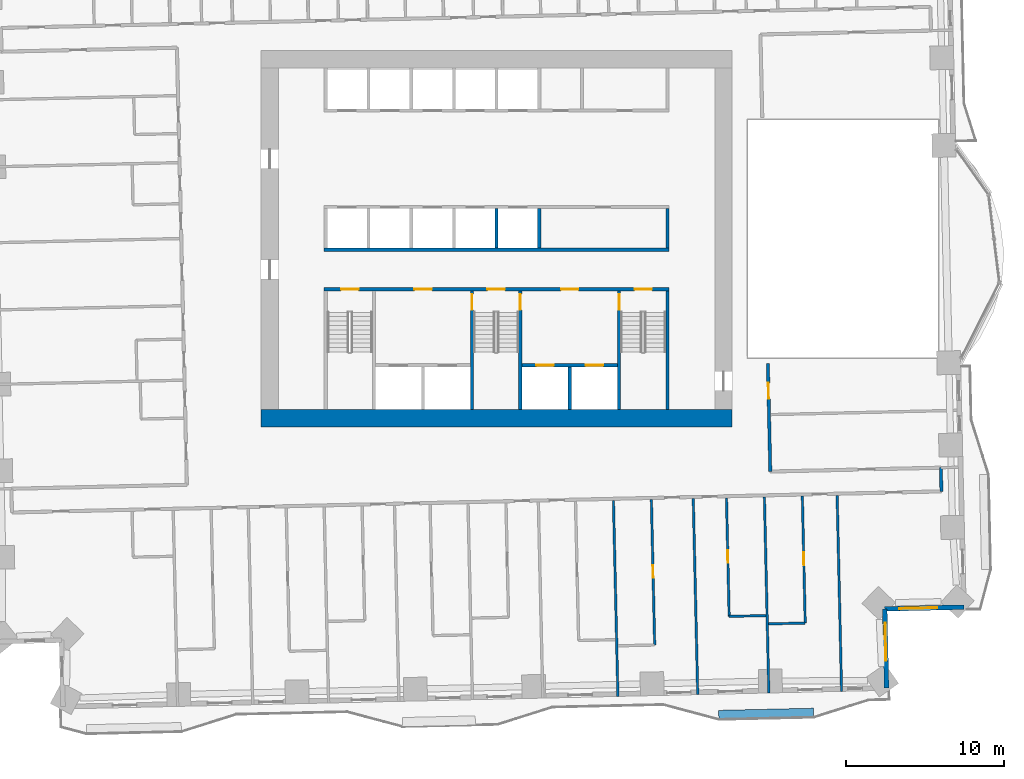
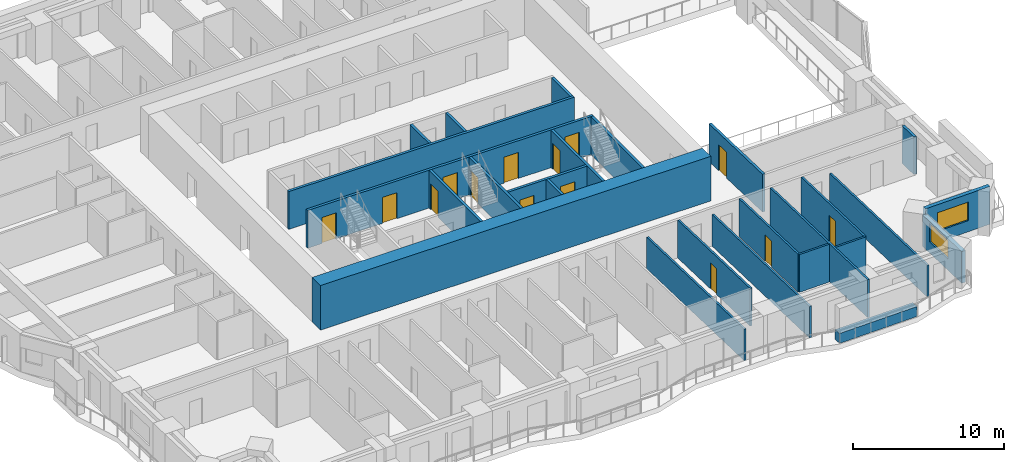
# One storey, part 7 of 16: 26 walls, 14 doors, 2 windows, 16 openings.
"""IFC4 building model written with IfcOpenShell, lengths in metres."""

from ifc_helpers import new_model, si_unit, direction, frame, frame_2d, origin, place, context, subcontext, project, spatial, rectangle, extrude, material, layer, layer_set, type_object, element, fill, save


model = new_model("IFC4")

# Units and contexts
model_context = context("Model", 3, precision=1e-05, world=origin(), true_north=direction((0.0, 1.0)))
body_context = subcontext(model_context, "Body", "Model", "MODEL_VIEW")
ifc_project = project(units=[si_unit("LENGTHUNIT", "METRE"), si_unit("AREAUNIT", "SQUARE_METRE"), si_unit("VOLUMEUNIT", "CUBIC_METRE"), si_unit("PLANEANGLEUNIT", "RADIAN"), si_unit("MASSUNIT", "GRAM", prefix="KILO")], contexts=[model_context])

# Site, building, storey
site_placement = place(None, origin())
site = spatial("IfcSite", under=ifc_project, at=site_placement, CompositionType="ELEMENT")
building_placement = place(site_placement, origin())
building = spatial("IfcBuilding", under=site, at=building_placement, Name="Mangrove Gate Tower", CompositionType="ELEMENT")
storey_placement = place(building_placement, frame((0.0, 0.0, 44.89990234375)))
storey = spatial("IfcBuildingStorey", under=building, at=storey_placement, Name="L10", CompositionType="ELEMENT", Elevation=44.89990234375)

# Walls
ifc_material_1 = material(Name="Concrete C32/40", Category="concrete")
ifc_layer_1 = layer(ifc_material_1, 0.199951171875)
ifc_layer_set_1 = layer_set([ifc_layer_1], Name="Core room wall 200 C32/40")
wall_type_1 = type_object("IfcWallType", Name="Core room wall 200 C32/40", PredefinedType="STANDARD", material=ifc_layer_set_1)
wall_1_placement = place(storey_placement, frame((10.800048828125, -0.60009765625, 0.0), z_axis=(0.0, 0.0, 1.0), x_axis=(0.0, 1.0, 0.0)))
element("IfcWall", 1, at=wall_1_placement, inside=storey, type_object=wall_type_1, Name="WALL-L10-CORE-25", PredefinedType="STANDARD", context=body_context, shape_type="SweptSolid", body=[
    extrude(rectangle(XDim=2.5, YDim=0.199951171875, at=frame_2d((1.25, 0.0))), origin(), (0.0, 0.0, 1.0), 3.050048828125),
])
ifc_material_2 = material(Name="Concrete C70/85", Category="concrete")
ifc_layer_2 = layer(ifc_material_2, 0.199951171875)
ifc_layer_set_2 = layer_set([ifc_layer_2], Name="Core shaft wall 200 C70/85")
wall_type_2 = type_object("IfcWallType", Name="Core shaft wall 200 C70/85", PredefinedType="SHEAR", material=ifc_layer_set_2)
wall_2_placement = place(storey_placement, frame((-10.89990234375, -0.699951171875, 0.0), z_axis=(0.0, 0.0, 1.0), x_axis=(1.0, 0.0, 0.0)))
element("IfcWall", 2, at=wall_2_placement, inside=storey, type_object=wall_type_2, Name="WALL-L10-CORE-6", PredefinedType="SHEAR", context=body_context, shape_type="SweptSolid", body=[
    extrude(rectangle(XDim=21.7998046875, YDim=0.199951171875, at=frame_2d((10.89990234375, 0.0))), origin(), (0.0, 0.0, 1.0), 3.050048828125),
])

# Wall, openings, doors
wall_3_placement = place(storey_placement, frame((1.60009765625, -8.0, 0.0), z_axis=(0.0, 0.0, 1.0), x_axis=(1.0, 0.0, 0.0)))
wall_3 = element("IfcWall", 3, at=wall_3_placement, inside=storey, type_object=wall_type_2, Name="WALL-L10-CORE-17", PredefinedType="SHEAR", context=body_context, shape_type="SweptSolid", body=[
    extrude(rectangle(XDim=6.0498046875, YDim=0.199951171875, at=frame_2d((3.02490234375, 0.0))), origin(), (0.0, 0.0, 1.0), 3.050048828125),
])
opening_1_placement = place(wall_3_placement, frame((0.91259765625, 0.0, 0.0)))
opening_1 = element("IfcOpeningElement", 4, at=opening_1_placement, cuts=wall_3, Name="Opening LD", PredefinedType="OPENING", context=body_context, shape_type="SweptSolid", body=[
    extrude(rectangle(XDim=1.10009765625, YDim=2.10009765625, at=frame_2d((0.550048828125, 1.050048828125))), frame((0.0, 0.10986328125, 0.0), z_axis=(0.0, -1.0, 0.0), x_axis=(1.0, 0.0, 0.0)), (0.0, 0.0, 1.0), 0.219970703125),
])
opening_2_placement = place(wall_3_placement, frame((4.03759765625, 0.0, 0.0)))
opening_2 = element("IfcOpeningElement", 5, at=opening_2_placement, cuts=wall_3, Name="Opening LD", PredefinedType="OPENING", context=body_context, shape_type="SweptSolid", body=[
    extrude(rectangle(XDim=1.10009765625, YDim=2.10009765625, at=frame_2d((0.550048828125, 1.050048828125))), frame((0.0, 0.10986328125, 0.0), z_axis=(0.0, -1.0, 0.0), x_axis=(1.0, 0.0, 0.0)), (0.0, 0.0, 1.0), 0.219970703125),
])
ifc_material_3 = material(Name="Stainless steel 316", Category="steel")
door_type_1 = type_object("IfcDoorType", Name="Lift landing door 1100x2100", OperationType="SLIDING_TO_LEFT", PredefinedType="DOOR", material=ifc_material_3)
door_1_placement = place(opening_1_placement, origin())
door_1 = element("IfcDoor", 6, at=door_1_placement, inside=storey, type_object=door_type_1, Name="Landing door LD FFL1", OperationType="SLIDING_TO_LEFT", OverallHeight=2.10009765625, OverallWidth=1.10009765625, PredefinedType="DOOR", context=body_context, shape_type="SweptSolid", body=[
    extrude(rectangle(XDim=1.10009765625, YDim=2.10009765625, at=frame_2d((0.550048828125, 1.050048828125))), frame((0.0, 0.02490234375, 0.0), z_axis=(0.0, -1.0, 0.0), x_axis=(1.0, 0.0, 0.0)), (0.0, 0.0, 1.0), 0.050048828125),
])
fill(opening_1, door_1)
door_2_placement = place(opening_2_placement, origin())
door_2 = element("IfcDoor", 7, at=door_2_placement, inside=storey, type_object=door_type_1, Name="Landing door LD FFL2", OperationType="SLIDING_TO_LEFT", OverallHeight=2.10009765625, OverallWidth=1.10009765625, PredefinedType="DOOR", context=body_context, shape_type="SweptSolid", body=[
    extrude(rectangle(XDim=1.10009765625, YDim=2.10009765625, at=frame_2d((0.550048828125, 1.050048828125))), frame((0.0, 0.02490234375, 0.0), z_axis=(0.0, -1.0, 0.0), x_axis=(1.0, 0.0, 0.0)), (0.0, 0.0, 1.0), 0.050048828125),
])
fill(opening_2, door_2)

# Walls
wall_4_placement = place(storey_placement, frame((4.625, -10.800048828125, 0.0), z_axis=(0.0, 0.0, 1.0), x_axis=(0.0, 1.0, 0.0)))
element("IfcWall", 8, at=wall_4_placement, inside=storey, type_object=wall_type_2, Name="WALL-L10-CORE-18", PredefinedType="SHEAR", context=body_context, shape_type="SweptSolid", body=[
    extrude(rectangle(XDim=2.699951171875, YDim=0.199951171875, at=frame_2d((1.35009765625, 0.0))), origin(), (0.0, 0.0, 1.0), 3.050048828125),
])
for number, where, z_axis, x_axis, name in (
    (9, (0.0, -0.60009765625, 0.0), (0.0, 0.0, 1.0), (0.0, 1.0, 0.0), "WALL-L10-CORE-23"),
    (10, (2.699951171875, -0.60009765625, 0.0), (0.0, 0.0, 1.0), (0.0, 1.0, 0.0), "WALL-L10-CORE-24"),
):
    element("IfcWall", number, at=place(storey_placement, frame(where, z_axis=z_axis, x_axis=x_axis)), inside=storey, type_object=wall_type_2, Name=name, PredefinedType="SHEAR", context=body_context, shape_type="SweptSolid", body=[
        extrude(rectangle(XDim=2.5, YDim=0.199951171875, at=frame_2d((1.25, 0.0))), origin(), (0.0, 0.0, 1.0), 3.050048828125),
    ])

# Wall, openings, doors
ifc_material_4 = material(Name="Concrete C70/85", Category="concrete")
ifc_layer_3 = layer(ifc_material_4, 0.199951171875)
ifc_layer_set_3 = layer_set([ifc_layer_3], Name="Core stair wall 200 C70/85")
wall_type_3 = type_object("IfcWallType", Name="Core stair wall 200 C70/85", PredefinedType="SHEAR", material=ifc_layer_set_3)
wall_5_placement = place(storey_placement, frame((-10.89990234375, -3.199951171875, 0.0), z_axis=(0.0, 0.0, 1.0), x_axis=(1.0, 0.0, 0.0)))
wall_5 = element("IfcWall", 11, at=wall_5_placement, inside=storey, type_object=wall_type_3, Name="WALL-L10-CORE-5", PredefinedType="SHEAR", context=body_context, shape_type="SweptSolid", body=[
    extrude(rectangle(XDim=21.7998046875, YDim=0.199951171875, at=frame_2d((10.89990234375, 0.0))), origin(), (0.0, 0.0, 1.0), 3.050048828125),
])
opening_3_placement = place(wall_5_placement, frame((1.074951171875, 0.0, 0.0)))
opening_3 = element("IfcOpeningElement", 12, at=opening_3_placement, cuts=wall_5, Name="Opening STD11", PredefinedType="OPENING", context=body_context, shape_type="SweptSolid", body=[
    extrude(rectangle(XDim=1.10009765625, YDim=2.10009765625, at=frame_2d((0.550048828125, 1.050048828125))), frame((0.0, 0.10986328125, 0.0), z_axis=(0.0, -1.0, 0.0), x_axis=(1.0, 0.0, 0.0)), (0.0, 0.0, 1.0), 0.219970703125),
])
opening_4_placement = place(wall_5_placement, frame((10.324951171875, 0.0, 0.0)))
opening_4 = element("IfcOpeningElement", 13, at=opening_4_placement, cuts=wall_5, Name="Opening STD11", PredefinedType="OPENING", context=body_context, shape_type="SweptSolid", body=[
    extrude(rectangle(XDim=1.10009765625, YDim=2.10009765625, at=frame_2d((0.550048828125, 1.050048828125))), frame((0.0, 0.10986328125, 0.0), z_axis=(0.0, -1.0, 0.0), x_axis=(1.0, 0.0, 0.0)), (0.0, 0.0, 1.0), 0.219970703125),
])
opening_5_placement = place(wall_5_placement, frame((19.625, 0.0, 0.0)))
opening_5 = element("IfcOpeningElement", 14, at=opening_5_placement, cuts=wall_5, Name="Opening STD11", PredefinedType="OPENING", context=body_context, shape_type="SweptSolid", body=[
    extrude(rectangle(XDim=1.10009765625, YDim=2.10009765625, at=frame_2d((0.550048828125, 1.050048828125))), frame((0.0, 0.10986328125, 0.0), z_axis=(0.0, -1.0, 0.0), x_axis=(1.0, 0.0, 0.0)), (0.0, 0.0, 1.0), 0.219970703125),
])
opening_6_placement = place(wall_5_placement, frame((5.699951171875, 0.0, 0.0)))
opening_6 = element("IfcOpeningElement", 15, at=opening_6_placement, cuts=wall_5, Name="Opening FL", PredefinedType="OPENING", context=body_context, shape_type="SweptSolid", body=[
    extrude(rectangle(XDim=1.10009765625, YDim=2.10009765625, at=frame_2d((0.550048828125, 1.050048828125))), frame((0.0, 0.10986328125, 0.0), z_axis=(0.0, -1.0, 0.0), x_axis=(1.0, 0.0, 0.0)), (0.0, 0.0, 1.0), 0.219970703125),
])
opening_7_placement = place(wall_5_placement, frame((14.97509765625, 0.0, 0.0)))
opening_7 = element("IfcOpeningElement", 16, at=opening_7_placement, cuts=wall_5, Name="Opening FL", PredefinedType="OPENING", context=body_context, shape_type="SweptSolid", body=[
    extrude(rectangle(XDim=1.10009765625, YDim=2.10009765625, at=frame_2d((0.550048828125, 1.050048828125))), frame((0.0, 0.10986328125, 0.0), z_axis=(0.0, -1.0, 0.0), x_axis=(1.0, 0.0, 0.0)), (0.0, 0.0, 1.0), 0.219970703125),
])
ifc_material_5 = material(Name="Fire-rated steel door set", Category="steel")
door_type_2 = type_object("IfcDoorType", Name="Lobby door FD60 1100x2100", OperationType="SINGLE_SWING_LEFT", PredefinedType="DOOR", material=ifc_material_5)
door_3_placement = place(opening_6_placement, origin())
door_3 = element("IfcDoor", 17, at=door_3_placement, inside=storey, type_object=door_type_2, Name="Lobby door service lobby", OperationType="SINGLE_SWING_LEFT", OverallHeight=2.10009765625, OverallWidth=1.10009765625, PredefinedType="DOOR", context=body_context, shape_type="SweptSolid", body=[
    extrude(rectangle(XDim=1.10009765625, YDim=2.10009765625, at=frame_2d((0.550048828125, 1.050048828125))), frame((0.0, 0.02490234375, 0.0), z_axis=(0.0, -1.0, 0.0), x_axis=(1.0, 0.0, 0.0)), (0.0, 0.0, 1.0), 0.050048828125),
])
fill(opening_6, door_3)
door_4_placement = place(opening_7_placement, origin())
door_4 = element("IfcDoor", 18, at=door_4_placement, inside=storey, type_object=door_type_2, Name="Lobby door fire-fighting lobby", OperationType="SINGLE_SWING_LEFT", OverallHeight=2.10009765625, OverallWidth=1.10009765625, PredefinedType="DOOR", context=body_context, shape_type="SweptSolid", body=[
    extrude(rectangle(XDim=1.10009765625, YDim=2.10009765625, at=frame_2d((0.550048828125, 1.050048828125))), frame((0.0, 0.02490234375, 0.0), z_axis=(0.0, -1.0, 0.0), x_axis=(1.0, 0.0, 0.0)), (0.0, 0.0, 1.0), 0.050048828125),
])
fill(opening_7, door_4)
ifc_material_6 = material(Name="Fire-rated steel door set", Category="steel")
door_type_3 = type_object("IfcDoorType", Name="Stair door FD60 1100x2100", OperationType="SINGLE_SWING_RIGHT", PredefinedType="DOOR", material=ifc_material_6)
door_5_placement = place(opening_3_placement, origin())
door_5 = element("IfcDoor", 19, at=door_5_placement, inside=storey, type_object=door_type_3, Name="Stair door Stair 1", OperationType="SINGLE_SWING_RIGHT", OverallHeight=2.10009765625, OverallWidth=1.10009765625, PredefinedType="DOOR", context=body_context, shape_type="SweptSolid", body=[
    extrude(rectangle(XDim=1.10009765625, YDim=2.10009765625, at=frame_2d((0.550048828125, 1.050048828125))), frame((0.0, 0.02490234375, 0.0), z_axis=(0.0, -1.0, 0.0), x_axis=(1.0, 0.0, 0.0)), (0.0, 0.0, 1.0), 0.050048828125),
])
fill(opening_3, door_5)
door_6_placement = place(opening_4_placement, origin())
door_6 = element("IfcDoor", 20, at=door_6_placement, inside=storey, type_object=door_type_3, Name="Stair door Stair 2", OperationType="SINGLE_SWING_RIGHT", OverallHeight=2.10009765625, OverallWidth=1.10009765625, PredefinedType="DOOR", context=body_context, shape_type="SweptSolid", body=[
    extrude(rectangle(XDim=1.10009765625, YDim=2.10009765625, at=frame_2d((0.550048828125, 1.050048828125))), frame((0.0, 0.02490234375, 0.0), z_axis=(0.0, -1.0, 0.0), x_axis=(1.0, 0.0, 0.0)), (0.0, 0.0, 1.0), 0.050048828125),
])
fill(opening_4, door_6)
door_7_placement = place(opening_5_placement, origin())
door_7 = element("IfcDoor", 21, at=door_7_placement, inside=storey, type_object=door_type_3, Name="Stair door Stair 3", OperationType="SINGLE_SWING_RIGHT", OverallHeight=2.10009765625, OverallWidth=1.10009765625, PredefinedType="DOOR", context=body_context, shape_type="SweptSolid", body=[
    extrude(rectangle(XDim=1.10009765625, YDim=2.10009765625, at=frame_2d((0.550048828125, 1.050048828125))), frame((0.0, 0.02490234375, 0.0), z_axis=(0.0, -1.0, 0.0), x_axis=(1.0, 0.0, 0.0)), (0.0, 0.0, 1.0), 0.050048828125),
])
fill(opening_5, door_7)

# Wall, opening, door
wall_6_placement = place(storey_placement, frame((-1.550048828125, -10.800048828125, 0.0), z_axis=(0.0, 0.0, 1.0), x_axis=(0.0, 1.0, 0.0)))
wall_6 = element("IfcWall", 22, at=wall_6_placement, inside=storey, type_object=wall_type_3, Name="WALL-L10-CORE-11", PredefinedType="SHEAR", context=body_context, shape_type="SweptSolid", body=[
    extrude(rectangle(XDim=7.5, YDim=0.199951171875, at=frame_2d((3.75, 0.0))), origin(), (0.0, 0.0, 1.0), 3.050048828125),
])
opening_8_placement = place(wall_6_placement, frame((6.300048828125, 0.0, 0.0)))
opening_8 = element("IfcOpeningElement", 23, at=opening_8_placement, cuts=wall_6, Name="Opening STD10", PredefinedType="OPENING", context=body_context, shape_type="SweptSolid", body=[
    extrude(rectangle(XDim=1.0, YDim=2.10009765625, at=frame_2d((0.5, 1.050048828125))), frame((0.0, 0.10986328125, 0.0), z_axis=(0.0, -1.0, 0.0), x_axis=(1.0, 0.0, 0.0)), (0.0, 0.0, 1.0), 0.219970703125),
])
ifc_material_7 = material(Name="Fire-rated steel door set", Category="steel")
door_type_4 = type_object("IfcDoorType", Name="Stair door FD60 1000x2100", OperationType="SINGLE_SWING_RIGHT", PredefinedType="DOOR", material=ifc_material_7)
door_8_placement = place(opening_8_placement, origin())
door_8 = element("IfcDoor", 24, at=door_8_placement, inside=storey, type_object=door_type_4, Name="Stair door Stair 2 from service lobby", OperationType="SINGLE_SWING_RIGHT", OverallHeight=2.10009765625, OverallWidth=1.0, PredefinedType="DOOR", context=body_context, shape_type="SweptSolid", body=[
    extrude(rectangle(XDim=1.0, YDim=2.10009765625, at=frame_2d((0.5, 1.050048828125))), frame((0.0, 0.02490234375, 0.0), z_axis=(0.0, -1.0, 0.0), x_axis=(1.0, 0.0, 0.0)), (0.0, 0.0, 1.0), 0.050048828125),
])
fill(opening_8, door_8)

wall_7_placement = place(storey_placement, frame((1.5, -10.800048828125, 0.0), z_axis=(0.0, 0.0, 1.0), x_axis=(0.0, 1.0, 0.0)))
wall_7 = element("IfcWall", 25, at=wall_7_placement, inside=storey, type_object=wall_type_3, Name="WALL-L10-CORE-12", PredefinedType="SHEAR", context=body_context, shape_type="SweptSolid", body=[
    extrude(rectangle(XDim=7.5, YDim=0.199951171875, at=frame_2d((3.75, 0.0))), origin(), (0.0, 0.0, 1.0), 3.050048828125),
])
opening_9_placement = place(wall_7_placement, frame((6.300048828125, 0.0, 0.0)))
opening_9 = element("IfcOpeningElement", 26, at=opening_9_placement, cuts=wall_7, Name="Opening STD10", PredefinedType="OPENING", context=body_context, shape_type="SweptSolid", body=[
    extrude(rectangle(XDim=1.0, YDim=2.10009765625, at=frame_2d((0.5, 1.050048828125))), frame((0.0, 0.10986328125, 0.0), z_axis=(0.0, -1.0, 0.0), x_axis=(1.0, 0.0, 0.0)), (0.0, 0.0, 1.0), 0.219970703125),
])
door_9_placement = place(opening_9_placement, origin())
door_9 = element("IfcDoor", 27, at=door_9_placement, inside=storey, type_object=door_type_4, Name="Stair door Stair 2 from fire-fighting lobby", OperationType="SINGLE_SWING_RIGHT", OverallHeight=2.10009765625, OverallWidth=1.0, PredefinedType="DOOR", context=body_context, shape_type="SweptSolid", body=[
    extrude(rectangle(XDim=1.0, YDim=2.10009765625, at=frame_2d((0.5, 1.050048828125))), frame((0.0, 0.02490234375, 0.0), z_axis=(0.0, -1.0, 0.0), x_axis=(1.0, 0.0, 0.0)), (0.0, 0.0, 1.0), 0.050048828125),
])
fill(opening_9, door_9)

wall_8_placement = place(storey_placement, frame((7.75, -10.800048828125, 0.0), z_axis=(0.0, 0.0, 1.0), x_axis=(0.0, 1.0, 0.0)))
wall_8 = element("IfcWall", 28, at=wall_8_placement, inside=storey, type_object=wall_type_3, Name="WALL-L10-CORE-13", PredefinedType="SHEAR", context=body_context, shape_type="SweptSolid", body=[
    extrude(rectangle(XDim=7.5, YDim=0.199951171875, at=frame_2d((3.75, 0.0))), origin(), (0.0, 0.0, 1.0), 3.050048828125),
])
opening_10_placement = place(wall_8_placement, frame((6.300048828125, 0.0, 0.0)))
opening_10 = element("IfcOpeningElement", 29, at=opening_10_placement, cuts=wall_8, Name="Opening STD10", PredefinedType="OPENING", context=body_context, shape_type="SweptSolid", body=[
    extrude(rectangle(XDim=1.0, YDim=2.10009765625, at=frame_2d((0.5, 1.050048828125))), frame((0.0, 0.10986328125, 0.0), z_axis=(0.0, -1.0, 0.0), x_axis=(1.0, 0.0, 0.0)), (0.0, 0.0, 1.0), 0.219970703125),
])
door_10_placement = place(opening_10_placement, origin())
door_10 = element("IfcDoor", 30, at=door_10_placement, inside=storey, type_object=door_type_4, Name="Stair door Stair 3 from fire-fighting lobby", OperationType="SINGLE_SWING_RIGHT", OverallHeight=2.10009765625, OverallWidth=1.0, PredefinedType="DOOR", context=body_context, shape_type="SweptSolid", body=[
    extrude(rectangle(XDim=1.0, YDim=2.10009765625, at=frame_2d((0.5, 1.050048828125))), frame((0.0, 0.02490234375, 0.0), z_axis=(0.0, -1.0, 0.0), x_axis=(1.0, 0.0, 0.0)), (0.0, 0.0, 1.0), 0.050048828125),
])
fill(opening_10, door_10)

# Walls
wall_9_placement = place(storey_placement, frame((10.800048828125, -10.800048828125, 0.0), z_axis=(0.0, 0.0, 1.0), x_axis=(0.0, 1.0, 0.0)))
element("IfcWall", 31, at=wall_9_placement, inside=storey, type_object=wall_type_3, Name="WALL-L10-CORE-14", PredefinedType="SHEAR", context=body_context, shape_type="SweptSolid", body=[
    extrude(rectangle(XDim=7.5, YDim=0.199951171875, at=frame_2d((3.75, 0.0))), origin(), (0.0, 0.0, 1.0), 3.050048828125),
])
ifc_material_8 = material(Name="Concrete C70/85", Category="concrete")
ifc_layer_4 = layer(ifc_material_8, 1.10009765625)
ifc_layer_set_4 = layer_set([ifc_layer_4], Name="Core wall 1100 C70/85")
wall_type_4 = type_object("IfcWallType", Name="Core wall 1100 C70/85", PredefinedType="SHEAR", material=ifc_layer_set_4)
wall_10_placement = place(storey_placement, frame((-14.89990234375, -11.35009765625, 0.0), z_axis=(0.0, 0.0, 1.0), x_axis=(1.0, 0.0, 0.0)))
element("IfcWall", 32, at=wall_10_placement, inside=storey, type_object=wall_type_4, Name="WALL-L10-CORE-1", PredefinedType="SHEAR", context=body_context, shape_type="SweptSolid", body=[
    extrude(rectangle(XDim=29.7998046875, YDim=1.10009765625, at=frame_2d((14.89990234375, 0.0))), origin(), (0.0, 0.0, 1.0), 3.60009765625),
])
ifc_material_9 = material(Name="Gypsum board on steel stud, EI 60", Category="steel")
ifc_layer_5 = layer(ifc_material_9, 0.199951171875)
ifc_layer_set_5 = layer_set([ifc_layer_5], Name="Corridor wall EI 60")
wall_type_5 = type_object("IfcWallType", Name="Corridor wall EI 60", PredefinedType="PARTITIONING", material=ifc_layer_set_5)
wall_11_placement = place(storey_placement, frame((28.133056640625, -15.97900390625, 0.0), z_axis=(0.0, 0.0, 1.0), x_axis=(-0.022632637625, 0.99974384905, 0.0)))
element("IfcWall", 33, at=wall_11_placement, inside=storey, type_object=wall_type_5, Name="WALL-L10-033", PredefinedType="PARTITIONING", context=body_context, shape_type="SweptSolid", body=[
    extrude(rectangle(XDim=1.49951171875, YDim=0.199951171875, at=frame_2d((0.749755859375, 0.0))), origin(), (0.0, 0.0, 1.0), 3.050048828125),
])

# Wall, opening, door
wall_12_placement = place(storey_placement, frame((17.31103515625, -14.72412109375, 0.0), z_axis=(0.0, 0.0, 1.0), x_axis=(-0.022562209343, 0.999745440955, 0.0)))
wall_12 = element("IfcWall", 34, at=wall_12_placement, inside=storey, type_object=wall_type_5, Name="WALL-L10-038", PredefinedType="PARTITIONING", context=body_context, shape_type="SweptSolid", body=[
    extrude(rectangle(XDim=6.827880859375, YDim=0.199951171875, at=frame_2d((3.4140625, 0.0))), origin(), (0.0, 0.0, 1.0), 3.050048828125),
])
opening_11_placement = place(wall_12_placement, frame((4.612060546875, 0.0, 0.0)))
opening_11 = element("IfcOpeningElement", 35, at=opening_11_placement, cuts=wall_12, Name="Opening AD", PredefinedType="OPENING", context=body_context, shape_type="SweptSolid", body=[
    extrude(rectangle(XDim=1.0, YDim=2.10009765625, at=frame_2d((0.5, 1.050048828125))), frame((0.0, 0.10986328125, 0.0), z_axis=(0.0, -1.0, 0.0), x_axis=(1.0, 0.0, 0.0)), (0.0, 0.0, 1.0), 0.219970703125),
])
ifc_material_10 = material(Name="Timber door leaf", Category="wood")
door_type_5 = type_object("IfcDoorType", Name="Amenity door 1000", OperationType="SINGLE_SWING_LEFT", PredefinedType="DOOR", material=ifc_material_10)
door_11_placement = place(opening_11_placement, origin())
door_11 = element("IfcDoor", 36, at=door_11_placement, inside=storey, type_object=door_type_5, Name="DOOR-L10-STU-c3b", OperationType="SINGLE_SWING_RIGHT", OverallHeight=2.10009765625, OverallWidth=1.0, PredefinedType="DOOR", context=body_context, shape_type="SweptSolid", body=[
    extrude(rectangle(XDim=1.0, YDim=2.10009765625, at=frame_2d((0.5, 1.050048828125))), frame((0.0, 0.02490234375, 0.0), z_axis=(0.0, -1.0, 0.0), x_axis=(1.0, 0.0, 0.0)), (0.0, 0.0, 1.0), 0.050048828125),
])
fill(opening_11, door_11)

# Wall, opening, window
ifc_material_11 = material(Name="Limestone", Category="masonry")
ifc_layer_6 = layer(ifc_material_11, 0.0400390625, Name="Limestone cladding")
ifc_material_12 = material(Name="Ventilated air gap")
ifc_layer_7 = layer(ifc_material_12, 0.0400390625, Name="Ventilated cavity")
ifc_material_13 = material(Name="Mineral wool insulation")
ifc_layer_8 = layer(ifc_material_13, 0.06005859375, Name="Insulation")
ifc_material_14 = material(Name="Breather membrane")
ifc_layer_9 = layer(ifc_material_14, 0.001953125, Name="Breather membrane")
ifc_material_15 = material(Name="Concrete C20/25 blockwork", Category="masonry")
ifc_layer_10 = layer(ifc_material_15, 0.14990234375, Name="Blockwork backing wall")
ifc_material_16 = material(Name="Gypsum plaster")
ifc_layer_11 = layer(ifc_material_16, 0.008056640625, Name="Internal plaster")
ifc_layer_set_6 = layer_set([ifc_layer_6, ifc_layer_7, ifc_layer_8, ifc_layer_9, ifc_layer_10, ifc_layer_11], Name="External wall 300 limestone cladding")
wall_type_6 = type_object("IfcWallType", Name="External wall 300 limestone cladding", PredefinedType="SOLIDWALL", material=ifc_layer_set_6)
wall_13_placement = place(storey_placement, frame((24.6640625, -28.410888671875, 0.0), z_axis=(0.0, 0.0, 1.0), x_axis=(-0.022802372469, 0.999739992103, 0.0)))
wall_13 = element("IfcWall", 37, at=wall_13_placement, inside=storey, type_object=wall_type_6, Name="WALL-L10-E14", PredefinedType="SOLIDWALL", context=body_context, shape_type="SweptSolid", body=[
    extrude(rectangle(XDim=5.0, YDim=0.300048828125, at=frame_2d((2.5, 0.0))), origin(), (0.0, 0.0, 1.0), 2.550048828125),
])
opening_12_placement = place(wall_13_placement, frame((1.717041015625, 0.0, 0.89990234375)))
opening_12 = element("IfcOpeningElement", 38, at=opening_12_placement, cuts=wall_13, Name="Opening W2", PredefinedType="OPENING", context=body_context, shape_type="SweptSolid", body=[
    extrude(rectangle(XDim=2.39990234375, YDim=1.5, at=frame_2d((1.199951171875, 0.75))), frame((0.0, 0.159912109375, 0.0), z_axis=(0.0, -1.0, 0.0), x_axis=(1.0, 0.0, 0.0)), (0.0, 0.0, 1.0), 0.320068359375),
])
ifc_material_17 = material(Name="Aluminium frame with double-glazed low-e glass", Category="aluminium")
window_type = type_object("IfcWindowType", Name="Corner room window 2400x1500", PartitioningType="DOUBLE_PANEL_VERTICAL", PredefinedType="WINDOW", material=ifc_material_17)
window_1_placement = place(opening_12_placement, origin())
window_1 = element("IfcWindow", 39, at=window_1_placement, inside=storey, type_object=window_type, Name="WIN-L10-E14-1", OverallHeight=1.5, OverallWidth=2.39990234375, PartitioningType="DOUBLE_PANEL_VERTICAL", PredefinedType="WINDOW", context=body_context, shape_type="SweptSolid", body=[
    extrude(rectangle(XDim=2.39990234375, YDim=1.5, at=frame_2d((1.199951171875, 0.75))), frame((0.0, 0.030029296875, 0.0), z_axis=(0.0, -1.0, 0.0), x_axis=(1.0, 0.0, 0.0)), (0.0, 0.0, 1.0), 0.06005859375),
])
fill(opening_12, window_1)

wall_14_placement = place(storey_placement, frame((24.550048828125, -23.412109375, 0.0), z_axis=(0.0, 0.0, 1.0), x_axis=(0.999744450377, 0.022606059803, 0.0)))
wall_14 = element("IfcWall", 40, at=wall_14_placement, inside=storey, type_object=wall_type_6, Name="WALL-L10-S15", PredefinedType="SOLIDWALL", context=body_context, shape_type="SweptSolid", body=[
    extrude(rectangle(XDim=5.000244140625, YDim=0.300048828125, at=frame_2d((2.5, 0.0))), origin(), (0.0, 0.0, 1.0), 3.050048828125),
])
opening_13_placement = place(wall_14_placement, frame((0.9150390625, 0.0, 0.89990234375)))
opening_13 = element("IfcOpeningElement", 41, at=opening_13_placement, cuts=wall_14, Name="Opening W2", PredefinedType="OPENING", context=body_context, shape_type="SweptSolid", body=[
    extrude(rectangle(XDim=2.39990234375, YDim=1.5, at=frame_2d((1.199951171875, 0.75))), frame((0.0, 0.159912109375, 0.0), z_axis=(0.0, -1.0, 0.0), x_axis=(1.0, 0.0, 0.0)), (0.0, 0.0, 1.0), 0.320068359375),
])
window_2_placement = place(opening_13_placement, origin())
window_2 = element("IfcWindow", 42, at=window_2_placement, inside=storey, type_object=window_type, Name="WIN-L10-S15-1", OverallHeight=1.5, OverallWidth=2.39990234375, PartitioningType="DOUBLE_PANEL_VERTICAL", PredefinedType="WINDOW", context=body_context, shape_type="SweptSolid", body=[
    extrude(rectangle(XDim=2.39990234375, YDim=1.5, at=frame_2d((1.199951171875, 0.75))), frame((0.0, 0.030029296875, 0.0), z_axis=(0.0, -1.0, 0.0), x_axis=(1.0, 0.0, 0.0)), (0.0, 0.0, 1.0), 0.06005859375),
])
fill(opening_13, window_2)

# Walls
ifc_material_18 = material(Name="Gypsum board on steel stud, EI 60", Category="steel")
ifc_layer_12 = layer(ifc_material_18, 0.14990234375)
ifc_layer_set_7 = layer_set([ifc_layer_12], Name="Party wall 150 EI 60")
wall_type_7 = type_object("IfcWallType", Name="Party wall 150 EI 60", PredefinedType="PARTITIONING", material=ifc_layer_set_7)
for number, where, z_axis, x_axis, name in (
    (43, (7.672119140625, -28.947021484375, 0.0), (0.0, 0.0, 1.0), (-0.022759867473, 0.999740960666, 0.0), "WALL-L10-007"),
    (44, (12.719970703125, -28.83203125, 0.0), (0.0, 0.0, 1.0), (-0.022661475803, 0.999743195783, 0.0), "WALL-L10-008"),
):
    element("IfcWall", number, at=place(storey_placement, frame(where, z_axis=z_axis, x_axis=x_axis)), inside=storey, type_object=wall_type_7, Name=name, PredefinedType="PARTITIONING", context=body_context, shape_type="SweptSolid", body=[
        extrude(rectangle(XDim=12.400146484375, YDim=0.14990234375, at=frame_2d((6.2001953125, 0.0))), origin(), (0.0, 0.0, 1.0), 2.550048828125),
    ])
wall_15_placement = place(storey_placement, frame((17.218994140625, -28.72998046875, 0.0), z_axis=(0.0, 0.0, 1.0), x_axis=(-0.022661475803, 0.999743195783, 0.0)))
element("IfcWall", 45, at=wall_15_placement, inside=storey, type_object=wall_type_7, Name="WALL-L10-009", PredefinedType="PARTITIONING", context=body_context, shape_type="SweptSolid", body=[
    extrude(rectangle(XDim=12.400146484375, YDim=0.14990234375, at=frame_2d((6.2001953125, 0.0))), origin(), (0.0, 0.0, 1.0), 3.050048828125),
])
wall_16_placement = place(storey_placement, frame((21.818115234375, -28.6259765625, 0.0), z_axis=(0.0, 0.0, 1.0), x_axis=(-0.022661475803, 0.999743195783, 0.0)))
element("IfcWall", 46, at=wall_16_placement, inside=storey, type_object=wall_type_7, Name="WALL-L10-010", PredefinedType="PARTITIONING", context=body_context, shape_type="SweptSolid", body=[
    extrude(rectangle(XDim=12.400146484375, YDim=0.14990234375, at=frame_2d((6.2001953125, 0.0))), origin(), (0.0, 0.0, 1.0), 2.550048828125),
])

# Wall, opening, door
wall_17_placement = place(storey_placement, frame((9.998046875, -25.693115234375, 0.0), z_axis=(0.0, 0.0, 1.0), x_axis=(-0.022608685365, 0.999744391005, 0.0)))
wall_17 = element("IfcWall", 47, at=wall_17_placement, inside=storey, type_object=wall_type_7, Name="WALL-L10-012", PredefinedType="PARTITIONING", context=body_context, shape_type="SweptSolid", body=[
    extrude(rectangle(XDim=9.200439453125, YDim=0.14990234375, at=frame_2d((4.60009765625, 0.0))), origin(), (0.0, 0.0, 1.0), 3.050048828125),
])
opening_14_placement = place(wall_17_placement, frame((4.25, 0.0, 0.0)))
opening_14 = element("IfcOpeningElement", 48, at=opening_14_placement, cuts=wall_17, Name="Opening ED", PredefinedType="OPENING", context=body_context, shape_type="SweptSolid", body=[
    extrude(rectangle(XDim=0.800048828125, YDim=2.10009765625, at=frame_2d((0.39990234375, 1.050048828125))), frame((0.0, 0.0849609375, 0.0), z_axis=(0.0, -1.0, 0.0), x_axis=(1.0, 0.0, 0.0)), (0.0, 0.0, 1.0), 0.169921875),
])
ifc_material_19 = material(Name="Timber door leaf", Category="wood")
door_type_6 = type_object("IfcDoorType", Name="En-suite door 800", OperationType="SINGLE_SWING_LEFT", PredefinedType="DOOR", material=ifc_material_19)
door_12_placement = place(opening_14_placement, origin())
door_12 = element("IfcDoor", 49, at=door_12_placement, inside=storey, type_object=door_type_6, Name="DOOR-L10-ENS-c207", OperationType="SINGLE_SWING_LEFT", OverallHeight=2.10009765625, OverallWidth=0.800048828125, PredefinedType="DOOR", context=body_context, shape_type="SweptSolid", body=[
    extrude(rectangle(XDim=0.800048828125, YDim=2.10009765625, at=frame_2d((0.39990234375, 1.050048828125))), frame((0.0, 0.02490234375, 0.0), z_axis=(0.0, -1.0, 0.0), x_axis=(1.0, 0.0, 0.0)), (0.0, 0.0, 1.0), 0.050048828125),
])
fill(opening_14, door_12)

# Wall
wall_18_placement = place(storey_placement, frame((17.195068359375, -24.35888671875, 0.0), z_axis=(0.0, 0.0, 1.0), x_axis=(0.999749744571, 0.022370700241, 0.0)))
element("IfcWall", 50, at=wall_18_placement, inside=storey, type_object=wall_type_7, Name="WALL-L10-021", PredefinedType="PARTITIONING", context=body_context, shape_type="SweptSolid", body=[
    extrude(rectangle(XDim=2.324462890625, YDim=0.14990234375, at=frame_2d((1.162109375, 0.0))), origin(), (0.0, 0.0, 1.0), 3.050048828125),
])

# Wall, opening, door
wall_19_placement = place(storey_placement, frame((19.51904296875, -24.306884765625, 0.0), z_axis=(0.0, 0.0, 1.0), x_axis=(-0.022681348089, 0.999742745134, 0.0)))
wall_19 = element("IfcWall", 51, at=wall_19_placement, inside=storey, type_object=wall_type_7, Name="WALL-L10-022", PredefinedType="PARTITIONING", context=body_context, shape_type="SweptSolid", body=[
    extrude(rectangle(XDim=8.02978515625, YDim=0.14990234375, at=frame_2d((4.014892578125, 0.0))), origin(), (0.0, 0.0, 1.0), 3.050048828125),
])
opening_15_placement = place(wall_19_placement, frame((3.6650390625, 0.0, 0.0)))
opening_15 = element("IfcOpeningElement", 52, at=opening_15_placement, cuts=wall_19, Name="Opening ED", PredefinedType="OPENING", context=body_context, shape_type="SweptSolid", body=[
    extrude(rectangle(XDim=0.800048828125, YDim=2.10009765625, at=frame_2d((0.39990234375, 1.050048828125))), frame((0.0, 0.0849609375, 0.0), z_axis=(0.0, -1.0, 0.0), x_axis=(1.0, 0.0, 0.0)), (0.0, 0.0, 1.0), 0.169921875),
])
door_13_placement = place(opening_15_placement, origin())
door_13 = element("IfcDoor", 53, at=door_13_placement, inside=storey, type_object=door_type_6, Name="DOOR-L10-ENS-c309", OperationType="SINGLE_SWING_LEFT", OverallHeight=2.10009765625, OverallWidth=0.800048828125, PredefinedType="DOOR", context=body_context, shape_type="SweptSolid", body=[
    extrude(rectangle(XDim=0.800048828125, YDim=2.10009765625, at=frame_2d((0.39990234375, 1.050048828125))), frame((0.0, 0.02490234375, 0.0), z_axis=(0.0, -1.0, 0.0), x_axis=(1.0, 0.0, 0.0)), (0.0, 0.0, 1.0), 0.050048828125),
])
fill(opening_15, door_13)

# Wall
wall_20_placement = place(storey_placement, frame((14.708984375, -23.885986328125, 0.0), z_axis=(0.0, 0.0, 1.0), x_axis=(0.999740260747, 0.02279059109, 0.0)))
element("IfcWall", 54, at=wall_20_placement, inside=storey, type_object=wall_type_7, Name="WALL-L10-023", PredefinedType="PARTITIONING", context=body_context, shape_type="SweptSolid", body=[
    extrude(rectangle(XDim=2.324462890625, YDim=0.14990234375, at=frame_2d((1.162109375, 0.0))), origin(), (0.0, 0.0, 1.0), 3.050048828125),
])

# Wall, opening, door
wall_21_placement = place(storey_placement, frame((14.708984375, -23.885986328125, 0.0), z_axis=(0.0, 0.0, 1.0), x_axis=(-0.022656334507, 0.999743312309, 0.0)))
wall_21 = element("IfcWall", 55, at=wall_21_placement, inside=storey, type_object=wall_type_7, Name="WALL-L10-024", PredefinedType="PARTITIONING", context=body_context, shape_type="SweptSolid", body=[
    extrude(rectangle(XDim=7.5, YDim=0.14990234375, at=frame_2d((3.75, 0.0))), origin(), (0.0, 0.0, 1.0), 3.050048828125),
])
opening_16_placement = place(wall_21_placement, frame((3.39990234375, 0.0, 0.0)))
opening_16 = element("IfcOpeningElement", 56, at=opening_16_placement, cuts=wall_21, Name="Opening ED", PredefinedType="OPENING", context=body_context, shape_type="SweptSolid", body=[
    extrude(rectangle(XDim=0.800048828125, YDim=2.10009765625, at=frame_2d((0.39990234375, 1.050048828125))), frame((0.0, 0.0849609375, 0.0), z_axis=(0.0, -1.0, 0.0), x_axis=(1.0, 0.0, 0.0)), (0.0, 0.0, 1.0), 0.169921875),
])
door_14_placement = place(opening_16_placement, origin())
door_14 = element("IfcDoor", 57, at=door_14_placement, inside=storey, type_object=door_type_6, Name="DOOR-L10-ENS-c208", OperationType="SINGLE_SWING_RIGHT", OverallHeight=2.10009765625, OverallWidth=0.800048828125, PredefinedType="DOOR", context=body_context, shape_type="SweptSolid", body=[
    extrude(rectangle(XDim=0.800048828125, YDim=2.10009765625, at=frame_2d((0.39990234375, 1.050048828125))), frame((0.0, 0.02490234375, 0.0), z_axis=(0.0, -1.0, 0.0), x_axis=(1.0, 0.0, 0.0)), (0.0, 0.0, 1.0), 0.050048828125),
])
fill(opening_16, door_14)

# Wall
ifc_material_20 = material(Name="Concrete C32/40", Category="concrete")
ifc_layer_13 = layer(ifc_material_20, 0.199951171875, Name="Planter trough wall")
ifc_material_21 = material(Name="Bituminous waterproofing membrane")
ifc_layer_14 = layer(ifc_material_21, 0.0048828125, Name="Waterproofing")
ifc_material_22 = material(Name="Drainage board and gravel")
ifc_layer_15 = layer(ifc_material_22, 0.044921875, Name="Drainage layer")
ifc_material_23 = material(Name="Planting soil")
ifc_layer_16 = layer(ifc_material_23, 0.300048828125, Name="Growing medium")
ifc_layer_set_8 = layer_set([ifc_layer_13, ifc_layer_14, ifc_layer_15, ifc_layer_16], Name="Planter wall 550 C32/40")
wall_type_8 = type_object("IfcWallType", Name="Planter wall 550 C32/40", PredefinedType="USERDEFINED", material=ifc_layer_set_8)
wall_22_placement = place(storey_placement, frame((14.049072265625, -30.10205078125, 0.0), z_axis=(0.0, 0.0, 1.0), x_axis=(0.999743178102, 0.022662255828, 0.0)))
element("IfcWall", 58, at=wall_22_placement, inside=storey, type_object=wall_type_8, Name="PLANTER L10 S1.1", ObjectType="PLANTER", PredefinedType="USERDEFINED", context=body_context, shape_type="SweptSolid", body=[
    extrude(rectangle(XDim=6.00048828125, YDim=0.550048828125, at=frame_2d((3.000244140625, 0.0))), origin(), (0.0, 0.0, 1.0), 0.800048828125),
])

save(model, "model.ifc")
